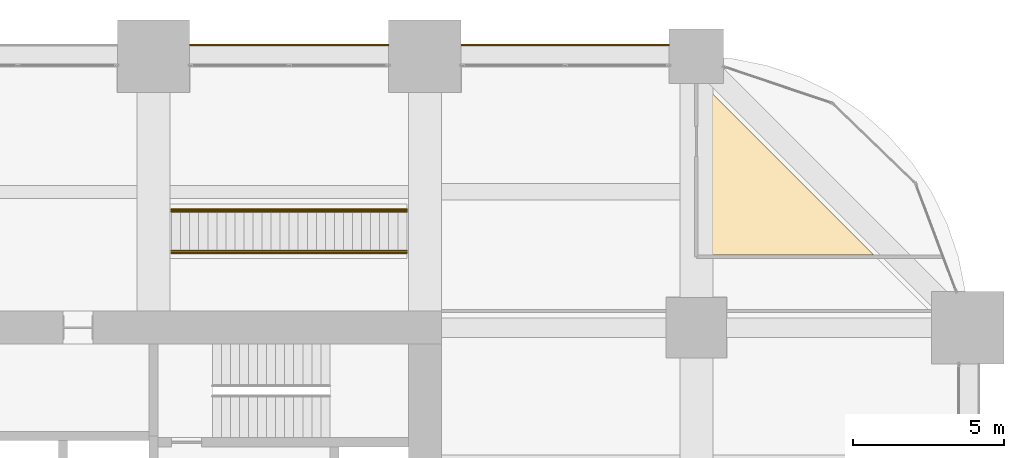
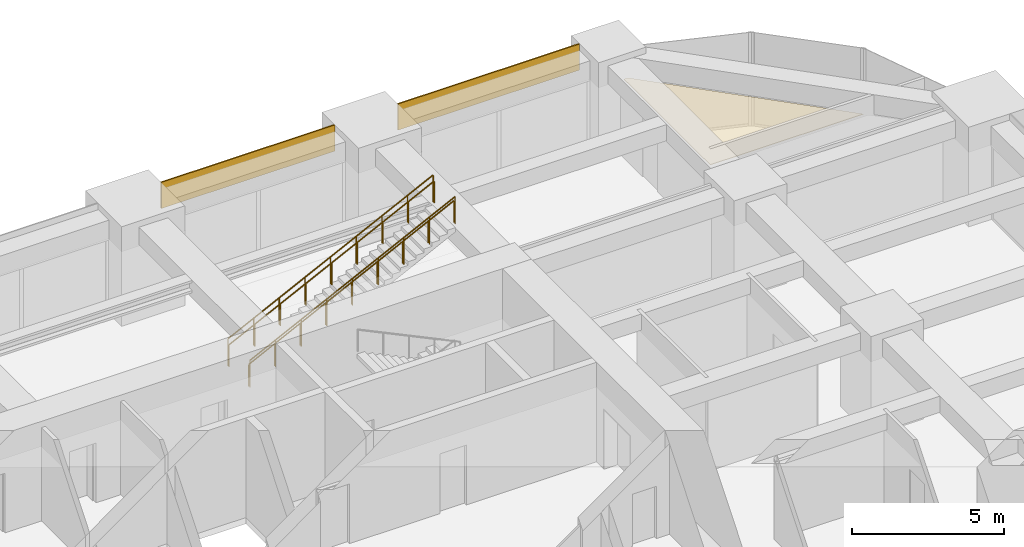
# One storey, part 41 of 41: 4 railings, 3 coverings.
"""IFC4 building model written with IfcOpenShell, lengths in metres."""

import ifcopenshell
import ifcopenshell.guid

model = None  # the IFC model being written
_history = None  # IfcOwnerHistory: only IFC2X3 demands one
_inside = {}  # id of a spatial element -> (the spatial element, [elements in it])
_under = {}  # id of a project, library or spatial element -> (it, [spatial elements below it])
_declared = {}  # id of a project -> (the project, [libraries it declares])
_typed = {}  # id of a type object -> (the type object, [elements of that type])
_made_of = {}  # id of a material, layer set ... -> (it, [elements and type objects made of it])


def new_model(schema):
    """Start an empty IFC model of exactly this schema.

    Asked for "IFC4X3", IfcOpenShell would pick the latest addendum, in which some entities
    have other attributes; the version numbers below select the first issue.
    IFC2X3 requires an IfcOwnerHistory on every rooted entity: one is made here for all.
    """
    global model, _history
    if schema == "IFC4X3":
        model = ifcopenshell.file(schema_version=(4, 3, 0, 0))
    else:
        model = ifcopenshell.file(schema=schema)
    _inside.clear()
    _under.clear()
    _declared.clear()
    _typed.clear()
    _made_of.clear()
    _history = None
    if model.schema == "IFC2X3":
        org = make("IfcOrganization", Name="unknown")
        user = make(
            "IfcPersonAndOrganization",
            ThePerson=make("IfcPerson", FamilyName="unknown"),
            TheOrganization=org,
        )
        app = make(
            "IfcApplication",
            ApplicationDeveloper=org,
            Version="unknown",
            ApplicationFullName="unknown",
            ApplicationIdentifier="unknown",
        )
        _history = make(
            "IfcOwnerHistory",
            OwningUser=user,
            OwningApplication=app,
            ChangeAction="ADDED",
            CreationDate=0,
        )
    return model


def make(cls, **values):
    """One entity of the class cls with the attributes given. An attribute that is None is left unset."""
    return model.create_entity(
        cls, **{name: value for name, value in values.items() if value is not None}
    )


def rooted(cls, **values):
    """An entity with a GlobalId (a new one), such as an element, a storey or a relation."""
    return make(cls, GlobalId=ifcopenshell.guid.new(), OwnerHistory=_history, **values)


def si_unit(unit_type, name, prefix=None):
    """IfcSIUnit, for example si_unit("LENGTHUNIT", "METRE", prefix="MILLI")."""
    return make("IfcSIUnit", UnitType=unit_type, Prefix=prefix, Name=name)


def assignment(units):
    """IfcUnitAssignment: the units of a project."""
    return None if units is None else make("IfcUnitAssignment", Units=units)


def point(xyz):
    """IfcCartesianPoint."""
    return None if xyz is None else make("IfcCartesianPoint", Coordinates=xyz)


def direction(xyz):
    """IfcDirection."""
    return None if xyz is None else make("IfcDirection", DirectionRatios=xyz)


def frame(location, z_axis=None, x_axis=None):
    """IfcAxis2Placement3D, a coordinate frame: its origin and axes. An axis left out is left unset."""
    return make(
        "IfcAxis2Placement3D",
        Location=point(location),
        Axis=direction(z_axis),
        RefDirection=direction(x_axis),
    )


def frame_2d(location, x_axis=None):
    """IfcAxis2Placement2D, a coordinate frame in the plane: its origin and x axis."""
    return make(
        "IfcAxis2Placement2D", Location=point(location), RefDirection=direction(x_axis)
    )


def origin():
    """The frame at (0, 0, 0) with its axes left unset."""
    return frame((0.0, 0.0, 0.0))


def origin_2d():
    """The frame at (0, 0) in the plane with its x axis left unset."""
    return frame_2d((0.0, 0.0))


def place(relative_to, where):
    """IfcLocalPlacement: puts the frame where relative to a parent placement (None: the world)."""
    return make(
        "IfcLocalPlacement", PlacementRelTo=relative_to, RelativePlacement=where
    )


def context(
    kind, dimensions, precision=None, world=None, true_north=None, identifier=None
):
    """IfcGeometricRepresentationContext, for example the 3D "Model" context."""
    return make(
        "IfcGeometricRepresentationContext",
        ContextIdentifier=identifier,
        ContextType=kind,
        CoordinateSpaceDimension=dimensions,
        Precision=precision,
        WorldCoordinateSystem=world,
        TrueNorth=true_north,
    )


def subcontext(parent, identifier, kind, view, scale=None):
    """IfcGeometricRepresentationSubContext, for example "Body" below "Model"."""
    return make(
        "IfcGeometricRepresentationSubContext",
        ContextIdentifier=identifier,
        ContextType=kind,
        ParentContext=parent,
        TargetScale=scale,
        TargetView=view,
    )


def project(units=None, contexts=None):
    """IfcProject with its units and contexts."""
    return rooted(
        "IfcProject",
        Name="project",
        RepresentationContexts=contexts,
        UnitsInContext=assignment(units),
    )


def spatial(cls, under=None, at=None, **own):
    """A site, building, storey or space (cls), placed at a placement, below another one or the project."""
    s = rooted(cls, ObjectPlacement=at, **own)
    if under is not None:
        _under.setdefault(under.id(), (under, []))[1].append(s)
    return s


def polyline(points):
    """IfcPolyline through the points."""
    return make("IfcPolyline", Points=[point(p) for p in points])


def profile(cls, at=None, kind="AREA", **sizes):
    """A parametric profile (cls). Its sizes go by their IFC names, for example OverallWidth=200.0."""
    return make(cls, ProfileType=kind, Position=at, **sizes)


def rectangle(**sizes):
    """IfcRectangleProfileDef."""
    return profile("IfcRectangleProfileDef", **sizes)


def circle(**sizes):
    """IfcCircleProfileDef."""
    return profile("IfcCircleProfileDef", **sizes)


def outline(outer, holes=None, kind="AREA"):
    """IfcArbitraryClosedProfileDef: a profile drawn as a closed curve; with holes, ...WithVoids."""
    if holes is None:
        return make("IfcArbitraryClosedProfileDef", ProfileType=kind, OuterCurve=outer)
    return make(
        "IfcArbitraryProfileDefWithVoids",
        ProfileType=kind,
        OuterCurve=outer,
        InnerCurves=holes,
    )


def extrude(swept, where, along, depth):
    """IfcExtrudedAreaSolid: the profile swept, set in the frame where, extruded along a direction by depth."""
    return make(
        "IfcExtrudedAreaSolid",
        SweptArea=swept,
        Position=where,
        ExtrudedDirection=direction(along),
        Depth=depth,
    )


def shape(context_of_items, identifier, shape_type, items):
    """IfcShapeRepresentation: the items that make up one representation, for example the "Body"."""
    return make(
        "IfcShapeRepresentation",
        ContextOfItems=context_of_items,
        RepresentationIdentifier=identifier,
        RepresentationType=shape_type,
        Items=items,
    )


def material(Name=None, Category=None):
    """IfcMaterial."""
    return make("IfcMaterial", Name=Name, Category=Category)


def layer(
    of_material, thickness, ventilated=None, Name=None, Category=None, Priority=None
):
    """IfcMaterialLayer: one layer of a wall or slab, of a material (None: an air gap)."""
    return make(
        "IfcMaterialLayer",
        Material=of_material,
        LayerThickness=thickness,
        IsVentilated=ventilated,
        Name=Name,
        Category=Category,
        Priority=Priority,
    )


def layer_set(layers, Name=None):
    """IfcMaterialLayerSet."""
    return make("IfcMaterialLayerSet", MaterialLayers=layers, LayerSetName=Name)


def made_of(thing, what):
    """Note that an element or type object is made of a material, layer set ...; save() writes the relation."""
    if what is not None:
        _made_of.setdefault(what.id(), (what, []))[1].append(thing)
    return thing


def type_object(cls, material=None, **own):
    """A type object (cls), such as IfcWallType, which elements share."""
    return made_of(rooted(cls, **own), material)


def element(
    cls,
    number,
    at=None,
    inside=None,
    cuts=None,
    type_object=None,
    material=None,
    context=None,
    identifier="Body",
    shape_type=None,
    held_by="IfcProductDefinitionShape",
    body=None,
    shapes=None,
    **own,
):
    """One element of the class cls, such as IfcWall. Its Tag is "e" and its number.

    at: its placement. inside: the storey or other place that contains it. cuts: it is an
    opening in that element (IfcRelVoidsElement). A single representation is given by context,
    identifier, shape_type and body (its items); several are given by shapes. held_by: the class
    of the entity that holds the representations. save() writes the other relations.
    """
    e = rooted(cls, Tag="e%d" % number, ObjectPlacement=at, **own)
    if body is not None:
        shapes = [shape(context, identifier, shape_type, body)]
    if shapes is not None:
        e.Representation = make(held_by, Representations=shapes)
    if inside is not None:
        _inside.setdefault(inside.id(), (inside, []))[1].append(e)
    if cuts is not None:
        rooted(
            "IfcRelVoidsElement", RelatingBuildingElement=cuts, RelatedOpeningElement=e
        )
    if type_object is not None:
        _typed.setdefault(type_object.id(), (type_object, []))[1].append(e)
    return made_of(e, material)


def aggregate(whole, parts):
    """IfcRelAggregates: a whole, such as a stair, and the parts it consists of."""
    return rooted("IfcRelAggregates", RelatingObject=whole, RelatedObjects=parts)


def save(model, path):
    """Write the relations noted so far, then the file.

    IfcRelAggregates (storeys below a building ...), IfcRelContainedInSpatialStructure (elements
    in a storey), IfcRelDefinesByType, IfcRelAssociatesMaterial and IfcRelDeclares: one each for
    every whole, place, type object, material and project.
    """
    for whole, parts in _under.values():
        aggregate(whole, parts)
    for where, things in _inside.values():
        rooted(
            "IfcRelContainedInSpatialStructure",
            RelatedElements=things,
            RelatingStructure=where,
        )
    for kind, things in _typed.values():
        rooted("IfcRelDefinesByType", RelatedObjects=things, RelatingType=kind)
    for what, things in _made_of.values():
        rooted("IfcRelAssociatesMaterial", RelatedObjects=things, RelatingMaterial=what)
    for by, libraries in _declared.values():
        rooted("IfcRelDeclares", RelatingContext=by, RelatedDefinitions=libraries)
    model.write(path)


model = new_model("IFC4")

# Units and contexts
model_context = context("Model", 3, precision=1e-05, world=origin(), true_north=direction((0.0, 1.0)))
body_context = subcontext(model_context, "Body", "Model", "MODEL_VIEW")
ifc_project = project(units=[si_unit("LENGTHUNIT", "METRE"), si_unit("AREAUNIT", "SQUARE_METRE"), si_unit("VOLUMEUNIT", "CUBIC_METRE"), si_unit("PLANEANGLEUNIT", "RADIAN"), si_unit("MASSUNIT", "GRAM", prefix="KILO")], contexts=[model_context])

# Site, building, storey
site_placement = place(None, origin())
site = spatial("IfcSite", under=ifc_project, at=site_placement, CompositionType="ELEMENT")
building_placement = place(site_placement, origin())
building = spatial("IfcBuilding", under=site, at=building_placement, Name="Zorevar Civic Tower", CompositionType="ELEMENT")
storey_placement = place(building_placement, frame((0.0, 0.0, 97.0)))
storey = spatial("IfcBuildingStorey", under=building, at=storey_placement, Name="L23", CompositionType="ELEMENT", Elevation=97.0)

# Railings
ifc_material_1 = material(Name="Laminated glass balustrade with black steel handrail", Category="steel")
railing_type_1 = type_object("IfcRailingType", Name="Balustrade BL1 1100", PredefinedType="BALUSTRADE", material=ifc_material_1)
for number, where, name in (
    (1, (36.60009765625, 38.47998046875, 0.148193359375), "Balustrade BL1 interconnecting stair L23"),
    (2, (36.60009765625, 39.919921875, 0.148193359375), "Balustrade BL1 interconnecting stair L23"),
):
    element("IfcRailing", number, at=place(storey_placement, frame(where)), inside=storey, type_object=railing_type_1, Name=name, PredefinedType="BALUSTRADE", context=body_context, shape_type="SweptSolid", body=[
        extrude(circle(Radius=0.02392578125, at=origin_2d()), frame((0.0, 0.0, 1.076171875), z_axis=(0.896627794226, 0.0, 0.442785047875), x_axis=(0.0, 1.0, 0.0)), (0.0, 0.0, 1.0), 8.698974609375),
        extrude(circle(Radius=0.02099609375, at=origin_2d()), origin(), (0.0, 0.0, 1.0), 1.052001953125),
        extrude(circle(Radius=0.02099609375, at=origin_2d()), frame((0.97509765625, 0.0, 0.4814453125)), (0.0, 0.0, 1.0), 1.052001953125),
        extrude(circle(Radius=0.02099609375, at=origin_2d()), frame((1.949951171875, 0.0, 0.962890625)), (0.0, 0.0, 1.0), 1.052001953125),
        extrude(circle(Radius=0.02099609375, at=origin_2d()), frame((2.9248046875, 0.0, 1.4443359375)), (0.0, 0.0, 1.0), 1.052001953125),
        extrude(circle(Radius=0.02099609375, at=origin_2d()), frame((3.89990234375, 0.0, 1.92578125)), (0.0, 0.0, 1.0), 1.052001953125),
        extrude(circle(Radius=0.02099609375, at=origin_2d()), frame((4.875, 0.0, 2.407470703125)), (0.0, 0.0, 1.0), 1.052001953125),
        extrude(circle(Radius=0.02099609375, at=origin_2d()), frame((5.849853515625, 0.0, 2.888916015625)), (0.0, 0.0, 1.0), 1.052001953125),
        extrude(circle(Radius=0.02099609375, at=origin_2d()), frame((6.82470703125, 0.0, 3.370361328125)), (0.0, 0.0, 1.0), 1.052001953125),
        extrude(circle(Radius=0.02099609375, at=origin_2d()), frame((7.7998046875, 0.0, 3.851806640625)), (0.0, 0.0, 1.0), 1.052001953125),
    ])
ifc_material_2 = material(Name="Black steel handrail", Category="steel")
railing_type_2 = type_object("IfcRailingType", Name="Handrail HR1 900", PredefinedType="HANDRAIL", material=ifc_material_2)
for number, where, name in (
    (3, (36.60009765625, 38.550048828125, 0.148193359375), "Handrail HR1 interconnecting stair L23"),
    (4, (36.60009765625, 39.85009765625, 0.148193359375), "Handrail HR1 interconnecting stair L23"),
):
    element("IfcRailing", number, at=place(storey_placement, frame(where)), inside=storey, type_object=railing_type_2, Name=name, PredefinedType="HANDRAIL", context=body_context, shape_type="SweptSolid", body=[
        extrude(circle(Radius=0.02392578125, at=origin_2d()), frame((0.0, 0.0, 0.8759765625), z_axis=(0.896627794226, 0.0, 0.442785047875), x_axis=(0.0, 1.0, 0.0)), (0.0, 0.0, 1.0), 8.698974609375),
        extrude(circle(Radius=0.02099609375, at=origin_2d()), origin(), (0.0, 0.0, 1.0), 0.851806640625),
        extrude(circle(Radius=0.02099609375, at=origin_2d()), frame((0.97509765625, 0.0, 0.4814453125)), (0.0, 0.0, 1.0), 0.851806640625),
        extrude(circle(Radius=0.02099609375, at=origin_2d()), frame((1.949951171875, 0.0, 0.962890625)), (0.0, 0.0, 1.0), 0.851806640625),
        extrude(circle(Radius=0.02099609375, at=origin_2d()), frame((2.9248046875, 0.0, 1.4443359375)), (0.0, 0.0, 1.0), 0.851806640625),
        extrude(circle(Radius=0.02099609375, at=origin_2d()), frame((3.89990234375, 0.0, 1.92578125)), (0.0, 0.0, 1.0), 0.851806640625),
        extrude(circle(Radius=0.02099609375, at=origin_2d()), frame((4.875, 0.0, 2.407470703125)), (0.0, 0.0, 1.0), 0.851806640625),
        extrude(circle(Radius=0.02099609375, at=origin_2d()), frame((5.849853515625, 0.0, 2.888916015625)), (0.0, 0.0, 1.0), 0.851806640625),
        extrude(circle(Radius=0.02099609375, at=origin_2d()), frame((6.82470703125, 0.0, 3.370361328125)), (0.0, 0.0, 1.0), 0.851806640625),
        extrude(circle(Radius=0.02099609375, at=origin_2d()), frame((7.7998046875, 0.0, 3.851806640625)), (0.0, 0.0, 1.0), 0.851806640625),
    ])

# Coverings
ifc_material_3 = material(Name="Black anodised aluminium spandrel panel", Category="aluminium")
ifc_layer_1 = layer(ifc_material_3, 0.050048828125)
ifc_layer_set_1 = layer_set([ifc_layer_1], Name="Spandrel cladding SP1")
covering_type_1 = type_object("IfcCoveringType", Name="Spandrel cladding SP1", PredefinedType="CLADDING", material=ifc_layer_set_1)
covering_1_placement = place(storey_placement, frame((37.199951171875, 45.375, 2.949951171875), z_axis=(0.0, 0.0, 1.0), x_axis=(1.0, 0.0, 0.0)))
element("IfcCovering", 5, at=covering_1_placement, inside=storey, type_object=covering_type_1, Name="Spandrel cladding L24", PredefinedType="CLADDING", context=body_context, shape_type="SweptSolid", body=[
    extrude(rectangle(XDim=6.60009765625, YDim=0.050048828125, at=frame_2d((3.300048828125, 0.0))), origin(), (0.0, 0.0, 1.0), 1.050048828125),
])
covering_2_placement = place(storey_placement, frame((46.199951171875, 45.375, 2.949951171875), z_axis=(0.0, 0.0, 1.0), x_axis=(1.0, 0.0, 0.0)))
element("IfcCovering", 6, at=covering_2_placement, inside=storey, type_object=covering_type_1, Name="Spandrel cladding L24", PredefinedType="CLADDING", context=body_context, shape_type="SweptSolid", body=[
    extrude(rectangle(XDim=6.900146484375, YDim=0.050048828125, at=frame_2d((3.4501953125, 0.0))), origin(), (0.0, 0.0, 1.0), 1.050048828125),
])
ifc_material_4 = material(Name="Mineral fibre tiles on a concealed grid")
ifc_layer_2 = layer(ifc_material_4, 0.02001953125)
ifc_layer_set_2 = layer_set([ifc_layer_2], Name="Suspended ceiling SC1")
covering_type_2 = type_object("IfcCoveringType", Name="Suspended ceiling SC1", PredefinedType="CEILING", material=ifc_layer_set_2)
covering_3_placement = place(storey_placement, frame((0.0, 0.0, 3.0)))
element("IfcCovering", 7, at=covering_3_placement, inside=storey, type_object=covering_type_2, Name="Ceiling L23-33", PredefinedType="CEILING", context=body_context, shape_type="SweptSolid", body=[
    extrude(outline(polyline([(54.06005859375, 38.409912109375), (54.06005859375, 44.090087890625), (54.202880859375, 44.090087890625), (59.8828125, 38.409912109375), (54.06005859375, 38.409912109375)])), origin(), (0.0, 0.0, 1.0), 0.02001953125),
])

save(model, "model.ifc")
